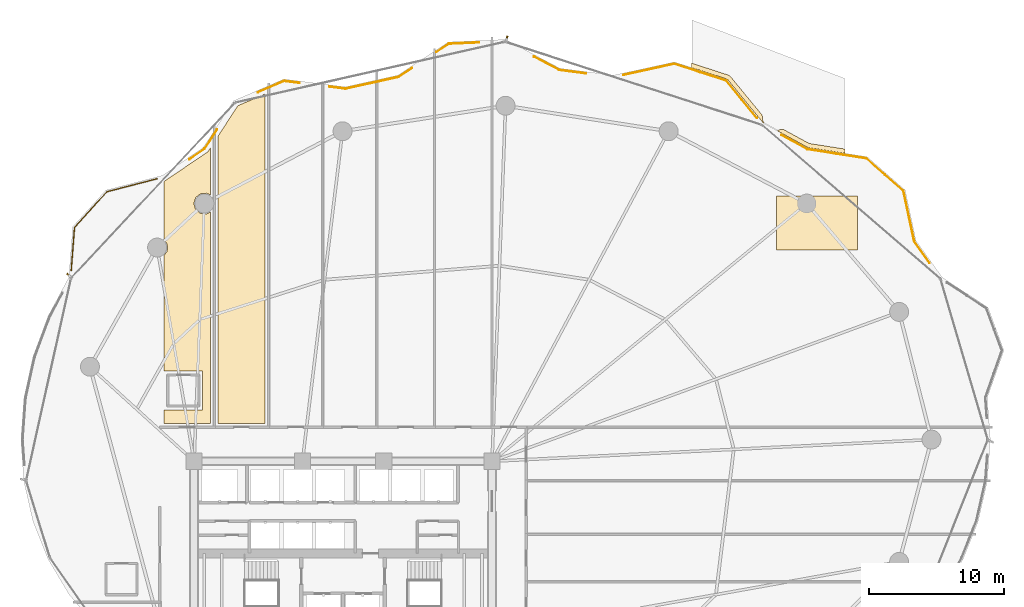
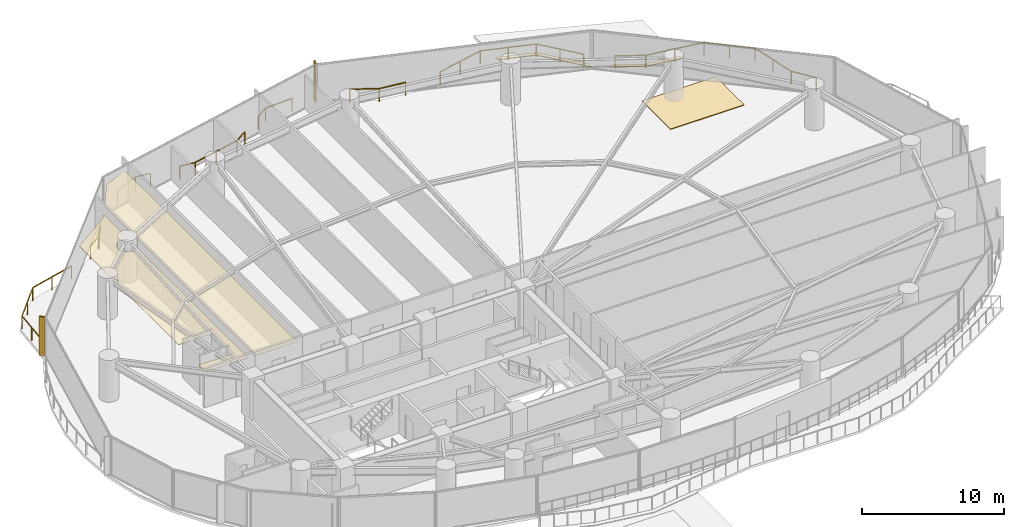
# One storey, part 31 of 32: 8 railings, 5 coverings, 2 shading devices.
"""IFC4 building model written with IfcOpenShell, lengths in metres."""

from ifc_helpers import new_model, si_unit, direction, frame, origin, origin_2d, place, context, subcontext, project, spatial, polyline, rectangle, outline, extrude, material, layer, layer_set, type_object, element, save


model = new_model("IFC4")

# Units and contexts
model_context = context("Model", 3, precision=1e-05, world=origin(), true_north=direction((0.0, 1.0)))
body_context = subcontext(model_context, "Body", "Model", "MODEL_VIEW")
ifc_project = project(units=[si_unit("LENGTHUNIT", "METRE"), si_unit("AREAUNIT", "SQUARE_METRE"), si_unit("VOLUMEUNIT", "CUBIC_METRE"), si_unit("PLANEANGLEUNIT", "RADIAN"), si_unit("MASSUNIT", "GRAM", prefix="KILO")], contexts=[model_context])

# Site, building, storey
site_placement = place(None, origin())
site = spatial("IfcSite", under=ifc_project, at=site_placement, CompositionType="ELEMENT")
building_placement = place(site_placement, origin())
building = spatial("IfcBuilding", under=site, at=building_placement, Name="Kazevale Care Tower and Concert Hall", CompositionType="ELEMENT")
storey_placement = place(building_placement, frame((0.0, 0.0, 24.0)))
storey = spatial("IfcBuildingStorey", under=building, at=storey_placement, Name="L05", CompositionType="ELEMENT", Elevation=24.0)

# Coverings
ifc_material_1 = material(Name="Acoustic Plaster and Hinoki Wood", Category="wood")
ifc_layer_1 = layer(ifc_material_1, 0.0400390625)
ifc_layer_set_1 = layer_set([ifc_layer_1], Name="Acoustic Plaster and Hinoki Wood")
covering_type_1 = type_object("IfcCoveringType", Name="Acoustic Perforated Wood-Gypsum Ceiling", PredefinedType="CEILING", material=ifc_layer_set_1)
covering_1_placement = place(storey_placement, frame((0.0, 0.0, 2.7099609375)))
element("IfcCovering", 1, at=covering_1_placement, inside=storey, type_object=covering_type_1, Name="clg:L05:1", PredefinedType="CEILING", context=body_context, shape_type="SweptSolid", body=[
    extrude(outline(polyline([(22.6298828125, 43.054931640625), (19.780029296875, 43.054931640625), (19.780029296875, 51.593994140625), (19.990966796875, 51.882080078125), (20.050048828125, 52.179931640625), (19.990966796875, 52.47802734375), (19.780029296875, 52.76611328125), (19.780029296875, 57.06494140625), (23.014892578125, 59.2509765625), (23.219970703125, 59.56689453125), (23.219970703125, 56.056884765625), (22.912109375, 56.195068359375), (22.4619140625, 56.15087890625), (22.111083984375, 55.863037109375), (21.97998046875, 55.429931640625), (22.111083984375, 54.9970703125), (22.4619140625, 54.708984375), (22.912109375, 54.6650390625), (23.219970703125, 54.802978515625), (23.219970703125, 39.205078125), (19.780029296875, 39.205078125), (19.780029296875, 40.195068359375), (22.6298828125, 40.195068359375), (22.6298828125, 43.054931640625)])), origin(), (0.0, 0.0, 1.0), 0.0400390625),
])
covering_2_placement = place(storey_placement, frame((0.0, 0.0, 2.7099609375)))
element("IfcCovering", 2, at=covering_2_placement, inside=storey, type_object=covering_type_1, Name="clg:L05:2", PredefinedType="CEILING", context=body_context, shape_type="SweptSolid", body=[
    extrude(outline(polyline([(27.219970703125, 39.205078125), (23.780029296875, 39.205078125), (23.780029296875, 60.427978515625), (25.22607421875, 62.654052734375), (27.219970703125, 63.51611328125), (27.219970703125, 39.205078125)])), origin(), (0.0, 0.0, 1.0), 0.0400390625),
])

# Railings
ifc_material_2 = material(Name="Anodised Bronze Aluminium and Laminated Glass", Category="aluminium")
railing_type = type_object("IfcRailingType", Name="Balcony and Terrace Balustrade 1120", PredefinedType="BALUSTRADE", material=ifc_material_2)
railing_1_placement = place(storey_placement, frame((12.925048828125, 50.48291015625, 0.0)))
element("IfcRailing", 3, at=railing_1_placement, inside=storey, type_object=railing_type, Name="rail:L05:perim:2", PredefinedType="BALUSTRADE", context=body_context, shape_type="SweptSolid", body=[
    extrude(rectangle(XDim=0.048095703125, YDim=0.048095703125, at=origin_2d()), frame((0.0, 0.0, 1.09619140625), z_axis=(0.077457363228, 0.996995665428, 0.0), x_axis=(-0.996995665428, 0.077457363228, 0.0)), (0.0, 0.0, 1.0), 3.189697265625),
    extrude(rectangle(XDim=0.048095703125, YDim=0.048095703125, at=origin_2d()), frame((0.2470703125, 3.18017578125, 1.09619140625), z_axis=(0.67167834736, 0.740842896766, 0.0), x_axis=(-0.740842896766, 0.67167834736, 0.0)), (0.0, 0.0, 1.0), 3.55810546875),
    extrude(rectangle(XDim=0.048095703125, YDim=0.048095703125, at=origin_2d()), frame((2.636962890625, 5.816162109375, 1.09619140625), z_axis=(0.967833691326, 0.251590830384, 0.0), x_axis=(-0.251590830384, 0.967833691326, 0.0)), (0.0, 0.0, 1.0), 3.8271484375),
    extrude(rectangle(XDim=0.0419921875, YDim=0.0419921875, at=origin_2d()), origin(), (0.0, 0.0, 1.0), 1.072021484375),
    extrude(rectangle(XDim=0.0419921875, YDim=0.0419921875, at=origin_2d()), frame((0.12353515625, 1.590087890625, 0.0)), (0.0, 0.0, 1.0), 1.072021484375),
    extrude(rectangle(XDim=0.0419921875, YDim=0.0419921875, at=origin_2d()), frame((0.2470703125, 3.18017578125, 0.0)), (0.0, 0.0, 1.0), 1.072021484375),
    extrude(rectangle(XDim=0.0419921875, YDim=0.0419921875, at=origin_2d()), frame((1.44189453125, 4.498046875, 0.0)), (0.0, 0.0, 1.0), 1.072021484375),
    extrude(rectangle(XDim=0.0419921875, YDim=0.0419921875, at=origin_2d()), frame((2.636962890625, 5.816162109375, 0.0)), (0.0, 0.0, 1.0), 1.072021484375),
    extrude(rectangle(XDim=0.0419921875, YDim=0.0419921875, at=origin_2d()), frame((4.489013671875, 6.297607421875, 0.0)), (0.0, 0.0, 1.0), 1.072021484375),
    extrude(rectangle(XDim=0.0419921875, YDim=0.0419921875, at=origin_2d()), frame((6.341064453125, 6.779052734375, 0.0)), (0.0, 0.0, 1.0), 1.072021484375),
])
railing_2_placement = place(storey_placement, frame((21.65087890625, 58.699951171875, 0.0)))
element("IfcRailing", 4, at=railing_2_placement, inside=storey, type_object=railing_type, Name="rail:L05:perim:3", PredefinedType="BALUSTRADE", context=body_context, shape_type="SweptSolid", body=[
    extrude(rectangle(XDim=0.048095703125, YDim=0.048095703125, at=origin_2d()), frame((0.0, 0.0, 1.09619140625), z_axis=(0.823330292932, 0.56756253289, 0.0), x_axis=(-0.56756253289, 0.823330292932, 0.0)), (0.0, 0.0, 1.0), 1.37255859375),
    extrude(rectangle(XDim=0.048095703125, YDim=0.048095703125, at=origin_2d()), frame((1.130126953125, 0.779052734375, 1.09619140625), z_axis=(0.545340812874, 0.838214410407, 0.0), x_axis=(-0.838214410407, 0.545340812874, 0.0)), (0.0, 0.0, 1.0), 1.6796875),
    extrude(rectangle(XDim=0.0419921875, YDim=0.0419921875, at=origin_2d()), origin(), (0.0, 0.0, 1.0), 1.072021484375),
    extrude(rectangle(XDim=0.0419921875, YDim=0.0419921875, at=origin_2d()), frame((1.130126953125, 0.779052734375, 0.0)), (0.0, 0.0, 1.0), 1.072021484375),
    extrude(rectangle(XDim=0.0419921875, YDim=0.0419921875, at=origin_2d()), frame((2.046142578125, 2.18701171875, 0.0)), (0.0, 0.0, 1.0), 1.072021484375),
])
railing_3_placement = place(storey_placement, frame((26.70703125, 63.64306640625, 0.0)))
element("IfcRailing", 5, at=railing_3_placement, inside=storey, type_object=railing_type, Name="rail:L05:perim:4", PredefinedType="BALUSTRADE", context=body_context, shape_type="SweptSolid", body=[
    extrude(rectangle(XDim=0.048095703125, YDim=0.048095703125, at=origin_2d()), frame((0.0, 0.0, 1.09619140625), z_axis=(0.917761192616, 0.397132715007, 0.0), x_axis=(-0.397132715007, 0.917761192616, 0.0)), (0.0, 0.0, 1.0), 2.107421875),
    extrude(rectangle(XDim=0.048095703125, YDim=0.048095703125, at=origin_2d()), frame((1.93408203125, 0.8369140625, 1.09619140625), z_axis=(0.992136908777, -0.125157317977, 0.0), x_axis=(0.125157317977, 0.992136908777, 0.0)), (0.0, 0.0, 1.0), 1.15087890625),
    extrude(rectangle(XDim=0.0419921875, YDim=0.0419921875, at=origin_2d()), origin(), (0.0, 0.0, 1.0), 1.072021484375),
    extrude(rectangle(XDim=0.0419921875, YDim=0.0419921875, at=origin_2d()), frame((1.93408203125, 0.8369140625, 0.0)), (0.0, 0.0, 1.0), 1.072021484375),
    extrude(rectangle(XDim=0.0419921875, YDim=0.0419921875, at=origin_2d()), frame((3.075927734375, 0.69287109375, 0.0)), (0.0, 0.0, 1.0), 1.072021484375),
])
railing_4_placement = place(storey_placement, frame((32.001953125, 64.05810546875, 0.0)))
element("IfcRailing", 6, at=railing_4_placement, inside=storey, type_object=railing_type, Name="rail:L05:perim:5", PredefinedType="BALUSTRADE", context=body_context, shape_type="SweptSolid", body=[
    extrude(rectangle(XDim=0.048095703125, YDim=0.048095703125, at=origin_2d()), frame((0.0, 0.0, 1.09619140625), z_axis=(0.992119329578, -0.125296591644, 0.0), x_axis=(0.125296591644, 0.992119329578, 0.0)), (0.0, 0.0, 1.0), 1.1904296875),
    extrude(rectangle(XDim=0.048095703125, YDim=0.048095703125, at=origin_2d()), frame((1.18115234375, -0.149169921875, 1.09619140625), z_axis=(0.976178445537, 0.216969220097, 0.0), x_axis=(-0.216969220097, 0.976178445537, 0.0)), (0.0, 0.0, 1.0), 4.001220703125),
    extrude(rectangle(XDim=0.048095703125, YDim=0.048095703125, at=origin_2d()), frame((5.087158203125, 0.718994140625, 1.09619140625), z_axis=(0.835832367502, 0.548984747908, 0.0), x_axis=(-0.548984747908, 0.835832367502, 0.0)), (0.0, 0.0, 1.0), 1.185546875),
    extrude(rectangle(XDim=0.0419921875, YDim=0.0419921875, at=origin_2d()), origin(), (0.0, 0.0, 1.0), 1.072021484375),
    extrude(rectangle(XDim=0.0419921875, YDim=0.0419921875, at=origin_2d()), frame((1.18115234375, -0.149169921875, 0.0)), (0.0, 0.0, 1.0), 1.072021484375),
    extrude(rectangle(XDim=0.0419921875, YDim=0.0419921875, at=origin_2d()), frame((3.13427734375, 0.284912109375, 0.0)), (0.0, 0.0, 1.0), 1.072021484375),
    extrude(rectangle(XDim=0.0419921875, YDim=0.0419921875, at=origin_2d()), frame((5.087158203125, 0.718994140625, 0.0)), (0.0, 0.0, 1.0), 1.072021484375),
    extrude(rectangle(XDim=0.0419921875, YDim=0.0419921875, at=origin_2d()), frame((6.078125, 1.369873046875, 0.0)), (0.0, 0.0, 1.0), 1.072021484375),
])
railing_5_placement = place(storey_placement, frame((39.885986328125, 66.614013671875, 0.0)))
element("IfcRailing", 7, at=railing_5_placement, inside=storey, type_object=railing_type, Name="rail:L05:perim:6", PredefinedType="BALUSTRADE", context=body_context, shape_type="SweptSolid", body=[
    extrude(rectangle(XDim=0.048095703125, YDim=0.048095703125, at=origin_2d()), frame((0.0, 0.0, 1.09619140625), z_axis=(0.835903517622, 0.548876406149, 0.0), x_axis=(-0.548876406149, 0.835903517622, 0.0)), (0.0, 0.0, 1.0), 1.115234375),
    extrude(rectangle(XDim=0.048095703125, YDim=0.048095703125, at=origin_2d()), frame((0.93212890625, 0.612060546875, 1.09619140625), z_axis=(0.999043859493, 0.043719181241, 0.0), x_axis=(-0.043719181241, 0.999043859493, 0.0)), (0.0, 0.0, 1.0), 2.217041015625),
    extrude(rectangle(XDim=0.0419921875, YDim=0.0419921875, at=origin_2d()), origin(), (0.0, 0.0, 1.0), 1.072021484375),
    extrude(rectangle(XDim=0.0419921875, YDim=0.0419921875, at=origin_2d()), frame((0.93212890625, 0.612060546875, 0.0)), (0.0, 0.0, 1.0), 1.072021484375),
    extrude(rectangle(XDim=0.0419921875, YDim=0.0419921875, at=origin_2d()), frame((3.14697265625, 0.708984375, 0.0)), (0.0, 0.0, 1.0), 1.072021484375),
])
railing_6_placement = place(storey_placement, frame((47.115966796875, 66.27001953125, 0.0)))
element("IfcRailing", 8, at=railing_6_placement, inside=storey, type_object=railing_type, Name="rail:L05:perim:7", PredefinedType="BALUSTRADE", context=body_context, shape_type="SweptSolid", body=[
    extrude(rectangle(XDim=0.048095703125, YDim=0.048095703125, at=origin_2d()), frame((0.0, 0.0, 1.09619140625), z_axis=(0.883776562896, -0.467909165198, 0.0), x_axis=(0.467909165198, 0.883776562896, 0.0)), (0.0, 0.0, 1.0), 2.09228515625),
    extrude(rectangle(XDim=0.048095703125, YDim=0.048095703125, at=origin_2d()), frame((1.84912109375, -0.97900390625, 1.09619140625), z_axis=(0.991534086176, -0.129846663223, 0.0), x_axis=(0.129846663223, 0.991534086176, 0.0)), (0.0, 0.0, 1.0), 1.994873046875),
    extrude(rectangle(XDim=0.0419921875, YDim=0.0419921875, at=origin_2d()), origin(), (0.0, 0.0, 1.0), 1.072021484375),
    extrude(rectangle(XDim=0.0419921875, YDim=0.0419921875, at=origin_2d()), frame((1.84912109375, -0.97900390625, 0.0)), (0.0, 0.0, 1.0), 1.072021484375),
    extrude(rectangle(XDim=0.0419921875, YDim=0.0419921875, at=origin_2d()), frame((3.8271484375, -1.238037109375, 0.0)), (0.0, 0.0, 1.0), 1.072021484375),
])
railing_7_placement = place(storey_placement, frame((53.72509765625, 64.929931640625, 0.0)))
element("IfcRailing", 9, at=railing_7_placement, inside=storey, type_object=railing_type, Name="rail:L05:perim:8", PredefinedType="BALUSTRADE", context=body_context, shape_type="SweptSolid", body=[
    extrude(rectangle(XDim=0.048095703125, YDim=0.048095703125, at=origin_2d()), frame((0.0, 0.0, 1.09619140625), z_axis=(0.976904182087, 0.213677839331, 0.0), x_axis=(-0.213677839331, 0.976904182087, 0.0)), (0.0, 0.0, 1.0), 3.82421875),
    extrude(rectangle(XDim=0.048095703125, YDim=0.048095703125, at=origin_2d()), frame((3.73583984375, 0.817138671875, 1.09619140625), z_axis=(0.951224739484, -0.308498776326, 0.0), x_axis=(0.308498776326, 0.951224739484, 0.0)), (0.0, 0.0, 1.0), 4.032958984375),
    extrude(rectangle(XDim=0.048095703125, YDim=0.048095703125, at=origin_2d()), frame((7.572021484375, -0.427001953125, 1.09619140625), z_axis=(0.63401399695, -0.773321570675, 0.0), x_axis=(0.773321570675, 0.63401399695, 0.0)), (0.0, 0.0, 1.0), 3.56103515625),
    extrude(rectangle(XDim=0.0419921875, YDim=0.0419921875, at=origin_2d()), origin(), (0.0, 0.0, 1.0), 1.072021484375),
    extrude(rectangle(XDim=0.0419921875, YDim=0.0419921875, at=origin_2d()), frame((1.867919921875, 0.40869140625, 0.0)), (0.0, 0.0, 1.0), 1.072021484375),
    extrude(rectangle(XDim=0.0419921875, YDim=0.0419921875, at=origin_2d()), frame((3.73583984375, 0.817138671875, 0.0)), (0.0, 0.0, 1.0), 1.072021484375),
    extrude(rectangle(XDim=0.0419921875, YDim=0.0419921875, at=origin_2d()), frame((5.65380859375, 0.195068359375, 0.0)), (0.0, 0.0, 1.0), 1.072021484375),
    extrude(rectangle(XDim=0.0419921875, YDim=0.0419921875, at=origin_2d()), frame((7.572021484375, -0.427001953125, 0.0)), (0.0, 0.0, 1.0), 1.072021484375),
    extrude(rectangle(XDim=0.0419921875, YDim=0.0419921875, at=origin_2d()), frame((8.700927734375, -1.803955078125, 0.0)), (0.0, 0.0, 1.0), 1.072021484375),
    extrude(rectangle(XDim=0.0419921875, YDim=0.0419921875, at=origin_2d()), frame((9.829833984375, -3.180908203125, 0.0)), (0.0, 0.0, 1.0), 1.072021484375),
])
railing_8_placement = place(storey_placement, frame((65.375, 60.48291015625, 0.0)))
element("IfcRailing", 10, at=railing_8_placement, inside=storey, type_object=railing_type, Name="rail:L05:perim:9", PredefinedType="BALUSTRADE", context=body_context, shape_type="SweptSolid", body=[
    extrude(rectangle(XDim=0.048095703125, YDim=0.048095703125, at=origin_2d()), frame((0.0, 0.0, 1.09619140625), z_axis=(0.877408218259, -0.479744534656, 0.0), x_axis=(0.479744534656, 0.877408218259, 0.0)), (0.0, 0.0, 1.0), 2.165283203125),
    extrude(rectangle(XDim=0.048095703125, YDim=0.048095703125, at=origin_2d()), frame((1.89990234375, -1.038818359375, 1.09619140625), z_axis=(0.98800015678, -0.154452873728, 0.0), x_axis=(0.154452873728, 0.98800015678, 0.0)), (0.0, 0.0, 1.0), 4.41015625),
    extrude(rectangle(XDim=0.048095703125, YDim=0.048095703125, at=origin_2d()), frame((6.257080078125, -1.719970703125, 1.09619140625), z_axis=(0.752130585126, -0.65901409918, 0.0), x_axis=(0.65901409918, 0.752130585126, 0.0)), (0.0, 0.0, 1.0), 3.662841796875),
    extrude(rectangle(XDim=0.048095703125, YDim=0.048095703125, at=origin_2d()), frame((9.011962890625, -4.1337890625, 1.09619140625), z_axis=(0.208802033864, -0.977957928877, 0.0), x_axis=(0.977957928877, 0.208802033864, 0.0)), (0.0, 0.0, 1.0), 3.80712890625),
    extrude(rectangle(XDim=0.048095703125, YDim=0.048095703125, at=origin_2d()), frame((9.806884765625, -7.85693359375, 1.09619140625), z_axis=(0.582711263324, -0.812679262437, 0.0), x_axis=(0.812679262437, 0.582711263324, 0.0)), (0.0, 0.0, 1.0), 1.94287109375),
    extrude(rectangle(XDim=0.0419921875, YDim=0.0419921875, at=origin_2d()), origin(), (0.0, 0.0, 1.0), 1.072021484375),
    extrude(rectangle(XDim=0.0419921875, YDim=0.0419921875, at=origin_2d()), frame((1.89990234375, -1.038818359375, 0.0)), (0.0, 0.0, 1.0), 1.072021484375),
    extrude(rectangle(XDim=0.0419921875, YDim=0.0419921875, at=origin_2d()), frame((4.07861328125, -1.37939453125, 0.0)), (0.0, 0.0, 1.0), 1.072021484375),
    extrude(rectangle(XDim=0.0419921875, YDim=0.0419921875, at=origin_2d()), frame((6.257080078125, -1.719970703125, 0.0)), (0.0, 0.0, 1.0), 1.072021484375),
    extrude(rectangle(XDim=0.0419921875, YDim=0.0419921875, at=origin_2d()), frame((7.634521484375, -2.9267578125, 0.0)), (0.0, 0.0, 1.0), 1.072021484375),
    extrude(rectangle(XDim=0.0419921875, YDim=0.0419921875, at=origin_2d()), frame((9.011962890625, -4.1337890625, 0.0)), (0.0, 0.0, 1.0), 1.072021484375),
    extrude(rectangle(XDim=0.0419921875, YDim=0.0419921875, at=origin_2d()), frame((9.409423828125, -5.995361328125, 0.0)), (0.0, 0.0, 1.0), 1.072021484375),
    extrude(rectangle(XDim=0.0419921875, YDim=0.0419921875, at=origin_2d()), frame((9.806884765625, -7.85693359375, 0.0)), (0.0, 0.0, 1.0), 1.072021484375),
    extrude(rectangle(XDim=0.0419921875, YDim=0.0419921875, at=origin_2d()), frame((10.93896484375, -9.435791015625, 0.0)), (0.0, 0.0, 1.0), 1.072021484375),
])

# Coverings
ifc_material_3 = material(Name="EPDM Roofing Membrane")
ifc_layer_2 = layer(ifc_material_3, 0.080078125)
ifc_layer_set_2 = layer_set([ifc_layer_2], Name="EPDM Roofing Membrane")
covering_type_2 = type_object("IfcCoveringType", Name="Inverted Insulated EPDM Roofing Membrane", PredefinedType="ROOFING", material=ifc_layer_set_2)
covering_3_placement = place(storey_placement, origin())
element("IfcCovering", 11, at=covering_3_placement, inside=storey, type_object=covering_type_2, Name="cov:L05:setback_rfg", PredefinedType="ROOFING", context=body_context, shape_type="SweptSolid", body=[
    extrude(outline(polyline([(65.0, 56.0), (71.0, 56.0), (71.0, 52.0), (65.0, 52.0), (65.0, 56.0)])), origin(), (0.0, 0.0, 1.0), 0.06005859375),
])
covering_4_placement = place(storey_placement, origin())
element("IfcCovering", 12, at=covering_4_placement, inside=storey, type_object=covering_type_2, Name="cov:L05:roof_strip:2", PredefinedType="ROOFING", context=body_context, shape_type="SweptSolid", body=[
    extrude(outline(polyline([(70.070068359375, 59.138916015625), (70.070068359375, 59.451904296875), (67.4189453125, 59.866943359375), (65.547119140625, 60.887939453125), (65.29296875, 60.9150390625), (65.06494140625, 60.801025390625), (67.318115234375, 59.569091796875), (70.070068359375, 59.138916015625)])), origin(), (0.0, 0.0, 1.0), 0.06005859375),
])
covering_5_placement = place(storey_placement, origin())
element("IfcCovering", 13, at=covering_5_placement, inside=storey, type_object=covering_type_2, Name="cov:L05:roof_strip:3", PredefinedType="ROOFING", context=body_context, shape_type="SweptSolid", body=[
    extrude(outline(polyline([(61.373046875, 64.614990234375), (64.034912109375, 61.367919921875), (64.096923828125, 61.41796875), (63.9619140625, 61.5830078125), (63.992919921875, 61.7919921875), (63.9208984375, 61.992919921875), (61.577880859375, 64.841064453125), (61.43408203125, 64.9208984375), (58.72998046875, 65.798095703125), (58.72998046875, 65.471923828125), (61.373046875, 64.614990234375)])), origin(), (0.0, 0.0, 1.0), 0.06005859375),
])

# Shading devices
ifc_material_4 = material(Name="Honed Ochre Limestone", Category="masonry")
shading_device_type = type_object("IfcShadingDeviceType", Name="Vertical Honed Limestone Fin FIN-01", PredefinedType="USERDEFINED", material=ifc_material_4)
for number, where, z_axis, x_axis, name in (
    (14, (12.747802734375, 50.140625, 0.0), (0.0, 0.0, 1.0), (-0.730400739673, 0.683018857343, 0.0), "cw:L05:f14:fin"),
    (15, (45.08203125, 67.618408203125, 0.0), (0.0, 0.0, 1.0), (0.30785482931, 0.951433341896, 0.0), "cw:L05:f16:fin"),
):
    element("IfcShadingDevice", number, at=place(storey_placement, frame(where, z_axis=z_axis, x_axis=x_axis)), inside=storey, type_object=shading_device_type, Name=name, ObjectType="FIN", PredefinedType="USERDEFINED", context=body_context, shape_type="SweptSolid", body=[
        extrude(rectangle(XDim=0.3798828125, YDim=0.1201171875, at=origin_2d()), origin(), (0.0, 0.0, 1.0), 3.360107421875),
    ])

save(model, "model.ifc")
